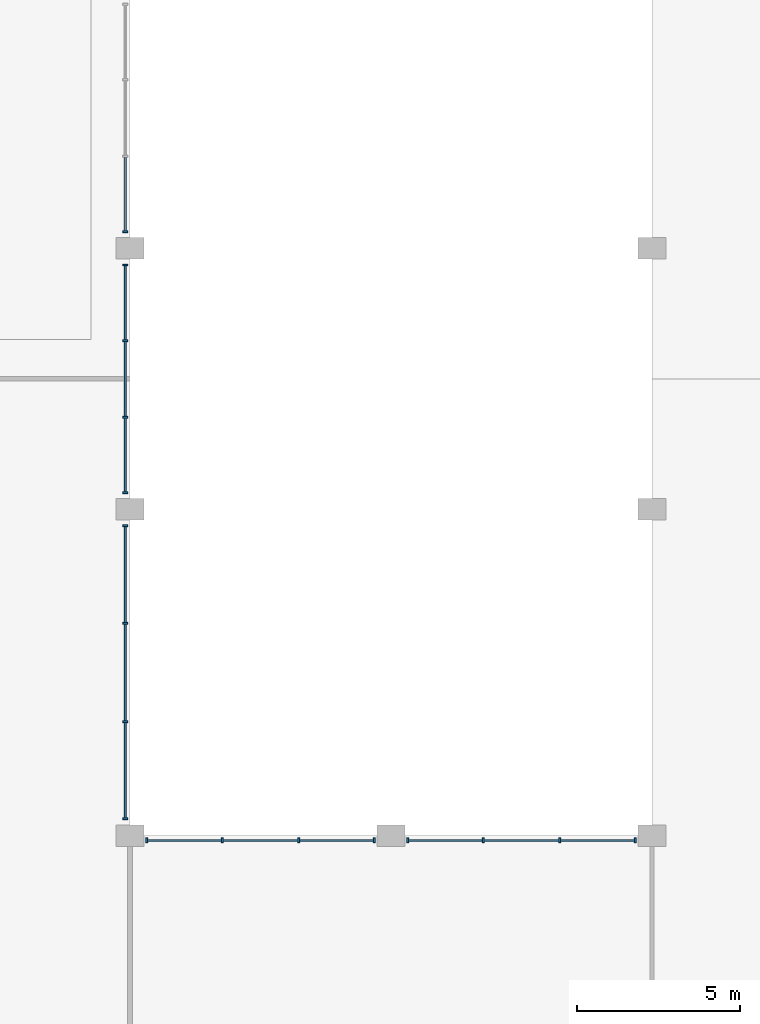
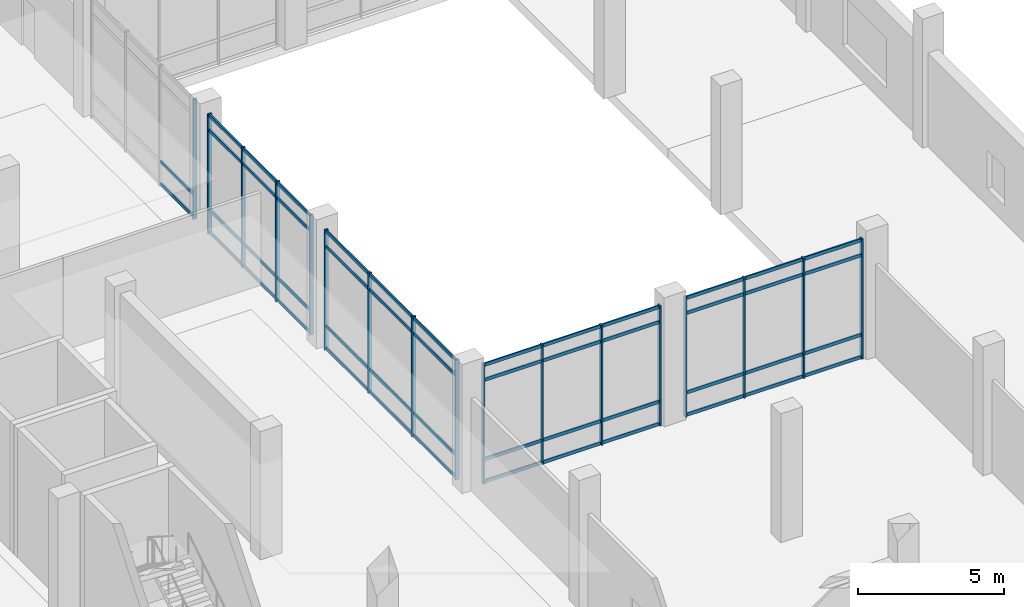
# One storey, part 13 of 42: 67 members, 5 elements without a shape of their own.
"""IFC4 building model written with IfcOpenShell, lengths in metres."""

from ifc_helpers import new_model, si_unit, direction, frame, origin, origin_2d, place, context, subcontext, project, spatial, rectangle, extrude, material, material_profile, profile_set, type_object, element, aggregate, save


model = new_model("IFC4")

# Units and contexts
model_context = context("Model", 3, precision=1e-05, world=origin(), true_north=direction((0.0, 1.0)))
body_context = subcontext(model_context, "Body", "Model", "MODEL_VIEW")
ifc_project = project(units=[si_unit("LENGTHUNIT", "METRE"), si_unit("AREAUNIT", "SQUARE_METRE"), si_unit("VOLUMEUNIT", "CUBIC_METRE"), si_unit("PLANEANGLEUNIT", "RADIAN"), si_unit("MASSUNIT", "GRAM", prefix="KILO")], contexts=[model_context])

# Site, building, storey
site_placement = place(None, origin())
site = spatial("IfcSite", under=ifc_project, at=site_placement, CompositionType="ELEMENT")
building_placement = place(site_placement, origin())
building = spatial("IfcBuilding", under=site, at=building_placement, Name="Pecanmere Concourse Central Library", CompositionType="ELEMENT")
storey_placement = place(building_placement, origin())
storey = spatial("IfcBuildingStorey", under=building, at=storey_placement, Name="L01", CompositionType="ELEMENT", Elevation=0.0)

# Curtain wall, members
ifc_material_1 = material(Name="Clear anodized aluminium alloy 6063-T6", Category="aluminium")
curtain_wall_type = type_object("IfcCurtainWallType", Name="CW_CLOISTER_GLAZ", PredefinedType="USERDEFINED", material=ifc_material_1)
curtain_wall_1_placement = place(storey_placement, origin())
curtain_wall_1 = element("IfcCurtainWall", 1, at=curtain_wall_1_placement, inside=storey, type_object=curtain_wall_type, Name="Unitised Curtain Wall CW-04 L01-101", ObjectType="UNITISED CURTAIN WALL", PredefinedType="USERDEFINED")
ifc_material_2 = material(Name="Clear anodized aluminium alloy 6063-T6", Category="aluminium")
ifc_material_profile_1 = material_profile(ifc_material_2, rectangle(XDim=0.06005859375, YDim=0.14990234375, at=origin_2d()), Name="AL 60x150")
ifc_profile_set_1 = profile_set([ifc_material_profile_1], Name="Clear anodized aluminium alloy 6063-T6")
member_type_1 = type_object("IfcMemberType", Name="CWM_150x60", PredefinedType="MULLION", material=ifc_profile_set_1)
member_1_placement = place(storey_placement, frame((127.85009765625, 64.510009765625, 0.0), z_axis=(0.0, 0.0, 1.0), x_axis=(0.0, 1.0, 0.0)))
member_1 = element("IfcMember", 2, at=member_1_placement, type_object=member_type_1, Name="CW-04 Mullion 1", PredefinedType="MULLION", context=body_context, shape_type="SweptSolid", body=[
    extrude(rectangle(XDim=0.06005859375, YDim=0.14990234375, at=origin_2d()), origin(), (0.0, 0.0, 1.0), 5.030029296875),
])
member_2_placement = place(storey_placement, frame((127.85009765625, 67.493408203125, 0.0), z_axis=(0.0, 0.0, 1.0), x_axis=(0.0, 1.0, 0.0)))
member_2 = element("IfcMember", 3, at=member_2_placement, type_object=member_type_1, Name="CW-04 Mullion 2", PredefinedType="MULLION", context=body_context, shape_type="SweptSolid", body=[
    extrude(rectangle(XDim=0.06005859375, YDim=0.14990234375, at=origin_2d()), origin(), (0.0, 0.0, 1.0), 5.030029296875),
])
member_3_placement = place(storey_placement, frame((127.85009765625, 70.506591796875, 0.0), z_axis=(0.0, 0.0, 1.0), x_axis=(0.0, 1.0, 0.0)))
member_3 = element("IfcMember", 4, at=member_3_placement, type_object=member_type_1, Name="CW-04 Mullion 3", PredefinedType="MULLION", context=body_context, shape_type="SweptSolid", body=[
    extrude(rectangle(XDim=0.06005859375, YDim=0.14990234375, at=origin_2d()), origin(), (0.0, 0.0, 1.0), 5.030029296875),
])
member_4_placement = place(storey_placement, frame((127.85009765625, 73.489990234375, 0.0), z_axis=(0.0, 0.0, 1.0), x_axis=(0.0, 1.0, 0.0)))
member_4 = element("IfcMember", 5, at=member_4_placement, type_object=member_type_1, Name="CW-04 Mullion 4", PredefinedType="MULLION", context=body_context, shape_type="SweptSolid", body=[
    extrude(rectangle(XDim=0.06005859375, YDim=0.14990234375, at=origin_2d()), origin(), (0.0, 0.0, 1.0), 5.030029296875),
])

curtain_wall_2_placement = place(storey_placement, origin())
curtain_wall_2 = element("IfcCurtainWall", 6, at=curtain_wall_2_placement, inside=storey, type_object=curtain_wall_type, Name="Unitised Curtain Wall CW-04 L01-103", ObjectType="UNITISED CURTAIN WALL", PredefinedType="USERDEFINED")
member_5_placement = place(storey_placement, frame((127.85009765625, 74.510009765625, 0.0), z_axis=(0.0, 0.0, 1.0), x_axis=(0.0, 1.0, 0.0)))
member_5 = element("IfcMember", 7, at=member_5_placement, type_object=member_type_1, Name="CW-04 Mullion 1", PredefinedType="MULLION", context=body_context, shape_type="SweptSolid", body=[
    extrude(rectangle(XDim=0.06005859375, YDim=0.14990234375, at=origin_2d()), origin(), (0.0, 0.0, 1.0), 5.030029296875),
])
member_6_placement = place(storey_placement, frame((127.85009765625, 76.82666015625, 0.0), z_axis=(0.0, 0.0, 1.0), x_axis=(0.0, 1.0, 0.0)))
member_6 = element("IfcMember", 8, at=member_6_placement, type_object=member_type_1, Name="CW-04 Mullion 2", PredefinedType="MULLION", context=body_context, shape_type="SweptSolid", body=[
    extrude(rectangle(XDim=0.06005859375, YDim=0.14990234375, at=origin_2d()), origin(), (0.0, 0.0, 1.0), 5.030029296875),
])
member_7_placement = place(storey_placement, frame((127.85009765625, 79.17333984375, 0.0), z_axis=(0.0, 0.0, 1.0), x_axis=(0.0, 1.0, 0.0)))
member_7 = element("IfcMember", 9, at=member_7_placement, type_object=member_type_1, Name="CW-04 Mullion 3", PredefinedType="MULLION", context=body_context, shape_type="SweptSolid", body=[
    extrude(rectangle(XDim=0.06005859375, YDim=0.14990234375, at=origin_2d()), origin(), (0.0, 0.0, 1.0), 5.030029296875),
])
member_8_placement = place(storey_placement, frame((127.85009765625, 81.489990234375, 0.0), z_axis=(0.0, 0.0, 1.0), x_axis=(0.0, 1.0, 0.0)))
member_8 = element("IfcMember", 10, at=member_8_placement, type_object=member_type_1, Name="CW-04 Mullion 4", PredefinedType="MULLION", context=body_context, shape_type="SweptSolid", body=[
    extrude(rectangle(XDim=0.06005859375, YDim=0.14990234375, at=origin_2d()), origin(), (0.0, 0.0, 1.0), 5.030029296875),
])

# Curtain wall, member
curtain_wall_3_placement = place(storey_placement, origin())
curtain_wall_3 = element("IfcCurtainWall", 11, at=curtain_wall_3_placement, inside=storey, type_object=curtain_wall_type, Name="Unitised Curtain Wall CW-04 L01-105", ObjectType="UNITISED CURTAIN WALL", PredefinedType="USERDEFINED")
member_9_placement = place(storey_placement, frame((127.85009765625, 82.510009765625, 0.0), z_axis=(0.0, 0.0, 1.0), x_axis=(0.0, 1.0, 0.0)))
member_9 = element("IfcMember", 12, at=member_9_placement, type_object=member_type_1, Name="CW-04 Mullion 1", PredefinedType="MULLION", context=body_context, shape_type="SweptSolid", body=[
    extrude(rectangle(XDim=0.06005859375, YDim=0.14990234375, at=origin_2d()), origin(), (0.0, 0.0, 1.0), 5.030029296875),
])

# Curtain wall, members
curtain_wall_4_placement = place(storey_placement, origin())
curtain_wall_4 = element("IfcCurtainWall", 13, at=curtain_wall_4_placement, inside=storey, type_object=curtain_wall_type, Name="Unitised Curtain Wall CW-04 L01-107", ObjectType="UNITISED CURTAIN WALL", PredefinedType="USERDEFINED")
member_10_placement = place(storey_placement, frame((128.510009765625, 63.85009765625, 0.0), z_axis=(0.0, 0.0, 1.0), x_axis=(1.0, 0.0, 0.0)))
member_10 = element("IfcMember", 14, at=member_10_placement, type_object=member_type_1, Name="CW-04 Mullion 1", PredefinedType="MULLION", context=body_context, shape_type="SweptSolid", body=[
    extrude(rectangle(XDim=0.06005859375, YDim=0.14990234375, at=origin_2d()), origin(), (0.0, 0.0, 1.0), 5.030029296875),
])
member_11_placement = place(storey_placement, frame((130.82666015625, 63.85009765625, 0.0), z_axis=(0.0, 0.0, 1.0), x_axis=(1.0, 0.0, 0.0)))
member_11 = element("IfcMember", 15, at=member_11_placement, type_object=member_type_1, Name="CW-04 Mullion 2", PredefinedType="MULLION", context=body_context, shape_type="SweptSolid", body=[
    extrude(rectangle(XDim=0.06005859375, YDim=0.14990234375, at=origin_2d()), origin(), (0.0, 0.0, 1.0), 5.030029296875),
])
member_12_placement = place(storey_placement, frame((133.17333984375, 63.85009765625, 0.0), z_axis=(0.0, 0.0, 1.0), x_axis=(1.0, 0.0, 0.0)))
member_12 = element("IfcMember", 16, at=member_12_placement, type_object=member_type_1, Name="CW-04 Mullion 3", PredefinedType="MULLION", context=body_context, shape_type="SweptSolid", body=[
    extrude(rectangle(XDim=0.06005859375, YDim=0.14990234375, at=origin_2d()), origin(), (0.0, 0.0, 1.0), 5.030029296875),
])
member_13_placement = place(storey_placement, frame((135.489990234375, 63.85009765625, 0.0), z_axis=(0.0, 0.0, 1.0), x_axis=(1.0, 0.0, 0.0)))
member_13 = element("IfcMember", 17, at=member_13_placement, type_object=member_type_1, Name="CW-04 Mullion 4", PredefinedType="MULLION", context=body_context, shape_type="SweptSolid", body=[
    extrude(rectangle(XDim=0.06005859375, YDim=0.14990234375, at=origin_2d()), origin(), (0.0, 0.0, 1.0), 5.030029296875),
])

curtain_wall_5_placement = place(storey_placement, origin())
curtain_wall_5 = element("IfcCurtainWall", 18, at=curtain_wall_5_placement, inside=storey, type_object=curtain_wall_type, Name="Unitised Curtain Wall CW-04 L01-109", ObjectType="UNITISED CURTAIN WALL", PredefinedType="USERDEFINED")
member_14_placement = place(storey_placement, frame((136.510009765625, 63.85009765625, 0.0), z_axis=(0.0, 0.0, 1.0), x_axis=(1.0, 0.0, 0.0)))
member_14 = element("IfcMember", 19, at=member_14_placement, type_object=member_type_1, Name="CW-04 Mullion 1", PredefinedType="MULLION", context=body_context, shape_type="SweptSolid", body=[
    extrude(rectangle(XDim=0.06005859375, YDim=0.14990234375, at=origin_2d()), origin(), (0.0, 0.0, 1.0), 5.030029296875),
])
member_15_placement = place(storey_placement, frame((138.82666015625, 63.85009765625, 0.0), z_axis=(0.0, 0.0, 1.0), x_axis=(1.0, 0.0, 0.0)))
member_15 = element("IfcMember", 20, at=member_15_placement, type_object=member_type_1, Name="CW-04 Mullion 2", PredefinedType="MULLION", context=body_context, shape_type="SweptSolid", body=[
    extrude(rectangle(XDim=0.06005859375, YDim=0.14990234375, at=origin_2d()), origin(), (0.0, 0.0, 1.0), 5.030029296875),
])
member_16_placement = place(storey_placement, frame((141.17333984375, 63.85009765625, 0.0), z_axis=(0.0, 0.0, 1.0), x_axis=(1.0, 0.0, 0.0)))
member_16 = element("IfcMember", 21, at=member_16_placement, type_object=member_type_1, Name="CW-04 Mullion 3", PredefinedType="MULLION", context=body_context, shape_type="SweptSolid", body=[
    extrude(rectangle(XDim=0.06005859375, YDim=0.14990234375, at=origin_2d()), origin(), (0.0, 0.0, 1.0), 5.030029296875),
])
member_17_placement = place(storey_placement, frame((143.489990234375, 63.85009765625, 0.0), z_axis=(0.0, 0.0, 1.0), x_axis=(1.0, 0.0, 0.0)))
member_17 = element("IfcMember", 22, at=member_17_placement, type_object=member_type_1, Name="CW-04 Mullion 4", PredefinedType="MULLION", context=body_context, shape_type="SweptSolid", body=[
    extrude(rectangle(XDim=0.06005859375, YDim=0.14990234375, at=origin_2d()), origin(), (0.0, 0.0, 1.0), 5.030029296875),
])

# Member
ifc_material_3 = material(Name="Clear anodized aluminium alloy 6063-T6", Category="aluminium")
ifc_material_profile_2 = material_profile(ifc_material_3, rectangle(XDim=0.054931640625, YDim=0.139892578125, at=origin_2d()), Name="AL 55x140")
ifc_profile_set_2 = profile_set([ifc_material_profile_2], Name="Clear anodized aluminium alloy 6063-T6")
member_type_2 = type_object("IfcMemberType", Name="CWT_140x55", PredefinedType="USERDEFINED", material=ifc_profile_set_2)
member_18_placement = place(storey_placement, frame((127.85009765625, 64.5400390625, 0.070068359375), z_axis=(0.0, 1.0, 0.0), x_axis=(-1.0, 0.0, 0.0)))
member_18 = element("IfcMember", 23, at=member_18_placement, type_object=member_type_2, Name="CW-04 Transom 1.1", ObjectType="TRANSOM", PredefinedType="USERDEFINED", context=body_context, shape_type="SweptSolid", body=[
    extrude(rectangle(XDim=0.054931640625, YDim=0.139892578125, at=origin_2d()), origin(), (0.0, 0.0, 1.0), 2.92333984375),
])

member_19_placement = place(storey_placement, frame((127.85009765625, 64.5400390625, 1.0), z_axis=(0.0, 1.0, 0.0), x_axis=(-1.0, 0.0, 0.0)))
member_19 = element("IfcMember", 24, at=member_19_placement, type_object=member_type_2, Name="CW-04 Transom 1.2", ObjectType="TRANSOM", PredefinedType="USERDEFINED", context=body_context, shape_type="SweptSolid", body=[
    extrude(rectangle(XDim=0.054931640625, YDim=0.139892578125, at=origin_2d()), origin(), (0.0, 0.0, 1.0), 2.92333984375),
])

member_20_placement = place(storey_placement, frame((127.85009765625, 64.5400390625, 4.330078125), z_axis=(0.0, 1.0, 0.0), x_axis=(-1.0, 0.0, 0.0)))
member_20 = element("IfcMember", 25, at=member_20_placement, type_object=member_type_2, Name="CW-04 Transom 1.3", ObjectType="TRANSOM", PredefinedType="USERDEFINED", context=body_context, shape_type="SweptSolid", body=[
    extrude(rectangle(XDim=0.054931640625, YDim=0.139892578125, at=origin_2d()), origin(), (0.0, 0.0, 1.0), 2.92333984375),
])

member_21_placement = place(storey_placement, frame((127.85009765625, 64.5400390625, 4.9599609375), z_axis=(0.0, 1.0, 0.0), x_axis=(-1.0, 0.0, 0.0)))
member_21 = element("IfcMember", 26, at=member_21_placement, type_object=member_type_2, Name="CW-04 Transom 1.4", ObjectType="TRANSOM", PredefinedType="USERDEFINED", context=body_context, shape_type="SweptSolid", body=[
    extrude(rectangle(XDim=0.054931640625, YDim=0.139892578125, at=origin_2d()), origin(), (0.0, 0.0, 1.0), 2.92333984375),
])

member_22_placement = place(storey_placement, frame((127.85009765625, 67.5234375, 0.070068359375), z_axis=(0.0, 1.0, 0.0), x_axis=(-1.0, 0.0, 0.0)))
member_22 = element("IfcMember", 27, at=member_22_placement, type_object=member_type_2, Name="CW-04 Transom 2.1", ObjectType="TRANSOM", PredefinedType="USERDEFINED", context=body_context, shape_type="SweptSolid", body=[
    extrude(rectangle(XDim=0.054931640625, YDim=0.139892578125, at=origin_2d()), origin(), (0.0, 0.0, 1.0), 2.953125),
])

member_23_placement = place(storey_placement, frame((127.85009765625, 67.5234375, 1.0), z_axis=(0.0, 1.0, 0.0), x_axis=(-1.0, 0.0, 0.0)))
member_23 = element("IfcMember", 28, at=member_23_placement, type_object=member_type_2, Name="CW-04 Transom 2.2", ObjectType="TRANSOM", PredefinedType="USERDEFINED", context=body_context, shape_type="SweptSolid", body=[
    extrude(rectangle(XDim=0.054931640625, YDim=0.139892578125, at=origin_2d()), origin(), (0.0, 0.0, 1.0), 2.953125),
])

member_24_placement = place(storey_placement, frame((127.85009765625, 67.5234375, 4.330078125), z_axis=(0.0, 1.0, 0.0), x_axis=(-1.0, 0.0, 0.0)))
member_24 = element("IfcMember", 29, at=member_24_placement, type_object=member_type_2, Name="CW-04 Transom 2.3", ObjectType="TRANSOM", PredefinedType="USERDEFINED", context=body_context, shape_type="SweptSolid", body=[
    extrude(rectangle(XDim=0.054931640625, YDim=0.139892578125, at=origin_2d()), origin(), (0.0, 0.0, 1.0), 2.953125),
])

member_25_placement = place(storey_placement, frame((127.85009765625, 67.5234375, 4.9599609375), z_axis=(0.0, 1.0, 0.0), x_axis=(-1.0, 0.0, 0.0)))
member_25 = element("IfcMember", 30, at=member_25_placement, type_object=member_type_2, Name="CW-04 Transom 2.4", ObjectType="TRANSOM", PredefinedType="USERDEFINED", context=body_context, shape_type="SweptSolid", body=[
    extrude(rectangle(XDim=0.054931640625, YDim=0.139892578125, at=origin_2d()), origin(), (0.0, 0.0, 1.0), 2.953125),
])

member_26_placement = place(storey_placement, frame((127.85009765625, 70.53662109375, 0.070068359375), z_axis=(0.0, 1.0, 0.0), x_axis=(-1.0, 0.0, 0.0)))
member_26 = element("IfcMember", 31, at=member_26_placement, type_object=member_type_2, Name="CW-04 Transom 3.1", ObjectType="TRANSOM", PredefinedType="USERDEFINED", context=body_context, shape_type="SweptSolid", body=[
    extrude(rectangle(XDim=0.054931640625, YDim=0.139892578125, at=origin_2d()), origin(), (0.0, 0.0, 1.0), 2.92333984375),
])

member_27_placement = place(storey_placement, frame((127.85009765625, 70.53662109375, 1.0), z_axis=(0.0, 1.0, 0.0), x_axis=(-1.0, 0.0, 0.0)))
member_27 = element("IfcMember", 32, at=member_27_placement, type_object=member_type_2, Name="CW-04 Transom 3.2", ObjectType="TRANSOM", PredefinedType="USERDEFINED", context=body_context, shape_type="SweptSolid", body=[
    extrude(rectangle(XDim=0.054931640625, YDim=0.139892578125, at=origin_2d()), origin(), (0.0, 0.0, 1.0), 2.92333984375),
])

member_28_placement = place(storey_placement, frame((127.85009765625, 70.53662109375, 4.330078125), z_axis=(0.0, 1.0, 0.0), x_axis=(-1.0, 0.0, 0.0)))
member_28 = element("IfcMember", 33, at=member_28_placement, type_object=member_type_2, Name="CW-04 Transom 3.3", ObjectType="TRANSOM", PredefinedType="USERDEFINED", context=body_context, shape_type="SweptSolid", body=[
    extrude(rectangle(XDim=0.054931640625, YDim=0.139892578125, at=origin_2d()), origin(), (0.0, 0.0, 1.0), 2.92333984375),
])

member_29_placement = place(storey_placement, frame((127.85009765625, 70.53662109375, 4.9599609375), z_axis=(0.0, 1.0, 0.0), x_axis=(-1.0, 0.0, 0.0)))
member_29 = element("IfcMember", 34, at=member_29_placement, type_object=member_type_2, Name="CW-04 Transom 3.4", ObjectType="TRANSOM", PredefinedType="USERDEFINED", context=body_context, shape_type="SweptSolid", body=[
    extrude(rectangle(XDim=0.054931640625, YDim=0.139892578125, at=origin_2d()), origin(), (0.0, 0.0, 1.0), 2.92333984375),
])

aggregate(curtain_wall_1, [member_1, member_2, member_3, member_4, member_18, member_19, member_20, member_21, member_22, member_23, member_24, member_25, member_26, member_27, member_28, member_29])

member_30_placement = place(storey_placement, frame((127.85009765625, 74.5400390625, 0.070068359375), z_axis=(0.0, 1.0, 0.0), x_axis=(-1.0, 0.0, 0.0)))
member_30 = element("IfcMember", 35, at=member_30_placement, type_object=member_type_2, Name="CW-04 Transom 1.1", ObjectType="TRANSOM", PredefinedType="USERDEFINED", context=body_context, shape_type="SweptSolid", body=[
    extrude(rectangle(XDim=0.054931640625, YDim=0.139892578125, at=origin_2d()), origin(), (0.0, 0.0, 1.0), 2.256591796875),
])

member_31_placement = place(storey_placement, frame((127.85009765625, 74.5400390625, 1.0), z_axis=(0.0, 1.0, 0.0), x_axis=(-1.0, 0.0, 0.0)))
member_31 = element("IfcMember", 36, at=member_31_placement, type_object=member_type_2, Name="CW-04 Transom 1.2", ObjectType="TRANSOM", PredefinedType="USERDEFINED", context=body_context, shape_type="SweptSolid", body=[
    extrude(rectangle(XDim=0.054931640625, YDim=0.139892578125, at=origin_2d()), origin(), (0.0, 0.0, 1.0), 2.256591796875),
])

member_32_placement = place(storey_placement, frame((127.85009765625, 74.5400390625, 4.330078125), z_axis=(0.0, 1.0, 0.0), x_axis=(-1.0, 0.0, 0.0)))
member_32 = element("IfcMember", 37, at=member_32_placement, type_object=member_type_2, Name="CW-04 Transom 1.3", ObjectType="TRANSOM", PredefinedType="USERDEFINED", context=body_context, shape_type="SweptSolid", body=[
    extrude(rectangle(XDim=0.054931640625, YDim=0.139892578125, at=origin_2d()), origin(), (0.0, 0.0, 1.0), 2.256591796875),
])

member_33_placement = place(storey_placement, frame((127.85009765625, 74.5400390625, 4.9599609375), z_axis=(0.0, 1.0, 0.0), x_axis=(-1.0, 0.0, 0.0)))
member_33 = element("IfcMember", 38, at=member_33_placement, type_object=member_type_2, Name="CW-04 Transom 1.4", ObjectType="TRANSOM", PredefinedType="USERDEFINED", context=body_context, shape_type="SweptSolid", body=[
    extrude(rectangle(XDim=0.054931640625, YDim=0.139892578125, at=origin_2d()), origin(), (0.0, 0.0, 1.0), 2.256591796875),
])

member_34_placement = place(storey_placement, frame((127.85009765625, 76.856689453125, 0.070068359375), z_axis=(0.0, 1.0, 0.0), x_axis=(-1.0, 0.0, 0.0)))
member_34 = element("IfcMember", 39, at=member_34_placement, type_object=member_type_2, Name="CW-04 Transom 2.1", ObjectType="TRANSOM", PredefinedType="USERDEFINED", context=body_context, shape_type="SweptSolid", body=[
    extrude(rectangle(XDim=0.054931640625, YDim=0.139892578125, at=origin_2d()), origin(), (0.0, 0.0, 1.0), 2.28662109375),
])

member_35_placement = place(storey_placement, frame((127.85009765625, 76.856689453125, 1.0), z_axis=(0.0, 1.0, 0.0), x_axis=(-1.0, 0.0, 0.0)))
member_35 = element("IfcMember", 40, at=member_35_placement, type_object=member_type_2, Name="CW-04 Transom 2.2", ObjectType="TRANSOM", PredefinedType="USERDEFINED", context=body_context, shape_type="SweptSolid", body=[
    extrude(rectangle(XDim=0.054931640625, YDim=0.139892578125, at=origin_2d()), origin(), (0.0, 0.0, 1.0), 2.28662109375),
])

member_36_placement = place(storey_placement, frame((127.85009765625, 76.856689453125, 4.330078125), z_axis=(0.0, 1.0, 0.0), x_axis=(-1.0, 0.0, 0.0)))
member_36 = element("IfcMember", 41, at=member_36_placement, type_object=member_type_2, Name="CW-04 Transom 2.3", ObjectType="TRANSOM", PredefinedType="USERDEFINED", context=body_context, shape_type="SweptSolid", body=[
    extrude(rectangle(XDim=0.054931640625, YDim=0.139892578125, at=origin_2d()), origin(), (0.0, 0.0, 1.0), 2.28662109375),
])

member_37_placement = place(storey_placement, frame((127.85009765625, 76.856689453125, 4.9599609375), z_axis=(0.0, 1.0, 0.0), x_axis=(-1.0, 0.0, 0.0)))
member_37 = element("IfcMember", 42, at=member_37_placement, type_object=member_type_2, Name="CW-04 Transom 2.4", ObjectType="TRANSOM", PredefinedType="USERDEFINED", context=body_context, shape_type="SweptSolid", body=[
    extrude(rectangle(XDim=0.054931640625, YDim=0.139892578125, at=origin_2d()), origin(), (0.0, 0.0, 1.0), 2.28662109375),
])

member_38_placement = place(storey_placement, frame((127.85009765625, 79.203369140625, 0.070068359375), z_axis=(0.0, 1.0, 0.0), x_axis=(-1.0, 0.0, 0.0)))
member_38 = element("IfcMember", 43, at=member_38_placement, type_object=member_type_2, Name="CW-04 Transom 3.1", ObjectType="TRANSOM", PredefinedType="USERDEFINED", context=body_context, shape_type="SweptSolid", body=[
    extrude(rectangle(XDim=0.054931640625, YDim=0.139892578125, at=origin_2d()), origin(), (0.0, 0.0, 1.0), 2.256591796875),
])

member_39_placement = place(storey_placement, frame((127.85009765625, 79.203369140625, 1.0), z_axis=(0.0, 1.0, 0.0), x_axis=(-1.0, 0.0, 0.0)))
member_39 = element("IfcMember", 44, at=member_39_placement, type_object=member_type_2, Name="CW-04 Transom 3.2", ObjectType="TRANSOM", PredefinedType="USERDEFINED", context=body_context, shape_type="SweptSolid", body=[
    extrude(rectangle(XDim=0.054931640625, YDim=0.139892578125, at=origin_2d()), origin(), (0.0, 0.0, 1.0), 2.256591796875),
])

member_40_placement = place(storey_placement, frame((127.85009765625, 79.203369140625, 4.330078125), z_axis=(0.0, 1.0, 0.0), x_axis=(-1.0, 0.0, 0.0)))
member_40 = element("IfcMember", 45, at=member_40_placement, type_object=member_type_2, Name="CW-04 Transom 3.3", ObjectType="TRANSOM", PredefinedType="USERDEFINED", context=body_context, shape_type="SweptSolid", body=[
    extrude(rectangle(XDim=0.054931640625, YDim=0.139892578125, at=origin_2d()), origin(), (0.0, 0.0, 1.0), 2.256591796875),
])

member_41_placement = place(storey_placement, frame((127.85009765625, 79.203369140625, 4.9599609375), z_axis=(0.0, 1.0, 0.0), x_axis=(-1.0, 0.0, 0.0)))
member_41 = element("IfcMember", 46, at=member_41_placement, type_object=member_type_2, Name="CW-04 Transom 3.4", ObjectType="TRANSOM", PredefinedType="USERDEFINED", context=body_context, shape_type="SweptSolid", body=[
    extrude(rectangle(XDim=0.054931640625, YDim=0.139892578125, at=origin_2d()), origin(), (0.0, 0.0, 1.0), 2.256591796875),
])

aggregate(curtain_wall_2, [member_5, member_6, member_7, member_8, member_30, member_31, member_32, member_33, member_34, member_35, member_36, member_37, member_38, member_39, member_40, member_41])

member_42_placement = place(storey_placement, frame((127.85009765625, 82.5400390625, 0.070068359375), z_axis=(0.0, 1.0, 0.0), x_axis=(-1.0, 0.0, 0.0)))
member_42 = element("IfcMember", 47, at=member_42_placement, type_object=member_type_2, Name="CW-04 Transom 1.1", ObjectType="TRANSOM", PredefinedType="USERDEFINED", context=body_context, shape_type="SweptSolid", body=[
    extrude(rectangle(XDim=0.054931640625, YDim=0.139892578125, at=origin_2d()), origin(), (0.0, 0.0, 1.0), 2.256591796875),
])

member_43_placement = place(storey_placement, frame((127.85009765625, 82.5400390625, 1.0), z_axis=(0.0, 1.0, 0.0), x_axis=(-1.0, 0.0, 0.0)))
member_43 = element("IfcMember", 48, at=member_43_placement, type_object=member_type_2, Name="CW-04 Transom 1.2", ObjectType="TRANSOM", PredefinedType="USERDEFINED", context=body_context, shape_type="SweptSolid", body=[
    extrude(rectangle(XDim=0.054931640625, YDim=0.139892578125, at=origin_2d()), origin(), (0.0, 0.0, 1.0), 2.256591796875),
])

aggregate(curtain_wall_3, [member_9, member_42, member_43])

member_44_placement = place(storey_placement, frame((128.5400390625, 63.85009765625, 0.070068359375), z_axis=(1.0, 0.0, 0.0), x_axis=(0.0, 1.0, 0.0)))
member_44 = element("IfcMember", 49, at=member_44_placement, type_object=member_type_2, Name="CW-04 Transom 1.1", ObjectType="TRANSOM", PredefinedType="USERDEFINED", context=body_context, shape_type="SweptSolid", body=[
    extrude(rectangle(XDim=0.054931640625, YDim=0.139892578125, at=origin_2d()), origin(), (0.0, 0.0, 1.0), 2.256591796875),
])

member_45_placement = place(storey_placement, frame((128.5400390625, 63.85009765625, 1.0), z_axis=(1.0, 0.0, 0.0), x_axis=(0.0, 1.0, 0.0)))
member_45 = element("IfcMember", 50, at=member_45_placement, type_object=member_type_2, Name="CW-04 Transom 1.2", ObjectType="TRANSOM", PredefinedType="USERDEFINED", context=body_context, shape_type="SweptSolid", body=[
    extrude(rectangle(XDim=0.054931640625, YDim=0.139892578125, at=origin_2d()), origin(), (0.0, 0.0, 1.0), 2.256591796875),
])

member_46_placement = place(storey_placement, frame((128.5400390625, 63.85009765625, 4.330078125), z_axis=(1.0, 0.0, 0.0), x_axis=(0.0, 1.0, 0.0)))
member_46 = element("IfcMember", 51, at=member_46_placement, type_object=member_type_2, Name="CW-04 Transom 1.3", ObjectType="TRANSOM", PredefinedType="USERDEFINED", context=body_context, shape_type="SweptSolid", body=[
    extrude(rectangle(XDim=0.054931640625, YDim=0.139892578125, at=origin_2d()), origin(), (0.0, 0.0, 1.0), 2.256591796875),
])

member_47_placement = place(storey_placement, frame((128.5400390625, 63.85009765625, 4.9599609375), z_axis=(1.0, 0.0, 0.0), x_axis=(0.0, 1.0, 0.0)))
member_47 = element("IfcMember", 52, at=member_47_placement, type_object=member_type_2, Name="CW-04 Transom 1.4", ObjectType="TRANSOM", PredefinedType="USERDEFINED", context=body_context, shape_type="SweptSolid", body=[
    extrude(rectangle(XDim=0.054931640625, YDim=0.139892578125, at=origin_2d()), origin(), (0.0, 0.0, 1.0), 2.256591796875),
])

member_48_placement = place(storey_placement, frame((130.856689453125, 63.85009765625, 0.070068359375), z_axis=(1.0, 0.0, 0.0), x_axis=(0.0, 1.0, 0.0)))
member_48 = element("IfcMember", 53, at=member_48_placement, type_object=member_type_2, Name="CW-04 Transom 2.1", ObjectType="TRANSOM", PredefinedType="USERDEFINED", context=body_context, shape_type="SweptSolid", body=[
    extrude(rectangle(XDim=0.054931640625, YDim=0.139892578125, at=origin_2d()), origin(), (0.0, 0.0, 1.0), 2.28662109375),
])

member_49_placement = place(storey_placement, frame((130.856689453125, 63.85009765625, 1.0), z_axis=(1.0, 0.0, 0.0), x_axis=(0.0, 1.0, 0.0)))
member_49 = element("IfcMember", 54, at=member_49_placement, type_object=member_type_2, Name="CW-04 Transom 2.2", ObjectType="TRANSOM", PredefinedType="USERDEFINED", context=body_context, shape_type="SweptSolid", body=[
    extrude(rectangle(XDim=0.054931640625, YDim=0.139892578125, at=origin_2d()), origin(), (0.0, 0.0, 1.0), 2.28662109375),
])

member_50_placement = place(storey_placement, frame((130.856689453125, 63.85009765625, 4.330078125), z_axis=(1.0, 0.0, 0.0), x_axis=(0.0, 1.0, 0.0)))
member_50 = element("IfcMember", 55, at=member_50_placement, type_object=member_type_2, Name="CW-04 Transom 2.3", ObjectType="TRANSOM", PredefinedType="USERDEFINED", context=body_context, shape_type="SweptSolid", body=[
    extrude(rectangle(XDim=0.054931640625, YDim=0.139892578125, at=origin_2d()), origin(), (0.0, 0.0, 1.0), 2.28662109375),
])

member_51_placement = place(storey_placement, frame((130.856689453125, 63.85009765625, 4.9599609375), z_axis=(1.0, 0.0, 0.0), x_axis=(0.0, 1.0, 0.0)))
member_51 = element("IfcMember", 56, at=member_51_placement, type_object=member_type_2, Name="CW-04 Transom 2.4", ObjectType="TRANSOM", PredefinedType="USERDEFINED", context=body_context, shape_type="SweptSolid", body=[
    extrude(rectangle(XDim=0.054931640625, YDim=0.139892578125, at=origin_2d()), origin(), (0.0, 0.0, 1.0), 2.28662109375),
])

member_52_placement = place(storey_placement, frame((133.203369140625, 63.85009765625, 0.070068359375), z_axis=(1.0, 0.0, 0.0), x_axis=(0.0, 1.0, 0.0)))
member_52 = element("IfcMember", 57, at=member_52_placement, type_object=member_type_2, Name="CW-04 Transom 3.1", ObjectType="TRANSOM", PredefinedType="USERDEFINED", context=body_context, shape_type="SweptSolid", body=[
    extrude(rectangle(XDim=0.054931640625, YDim=0.139892578125, at=origin_2d()), origin(), (0.0, 0.0, 1.0), 2.256591796875),
])

member_53_placement = place(storey_placement, frame((133.203369140625, 63.85009765625, 1.0), z_axis=(1.0, 0.0, 0.0), x_axis=(0.0, 1.0, 0.0)))
member_53 = element("IfcMember", 58, at=member_53_placement, type_object=member_type_2, Name="CW-04 Transom 3.2", ObjectType="TRANSOM", PredefinedType="USERDEFINED", context=body_context, shape_type="SweptSolid", body=[
    extrude(rectangle(XDim=0.054931640625, YDim=0.139892578125, at=origin_2d()), origin(), (0.0, 0.0, 1.0), 2.256591796875),
])

member_54_placement = place(storey_placement, frame((133.203369140625, 63.85009765625, 4.330078125), z_axis=(1.0, 0.0, 0.0), x_axis=(0.0, 1.0, 0.0)))
member_54 = element("IfcMember", 59, at=member_54_placement, type_object=member_type_2, Name="CW-04 Transom 3.3", ObjectType="TRANSOM", PredefinedType="USERDEFINED", context=body_context, shape_type="SweptSolid", body=[
    extrude(rectangle(XDim=0.054931640625, YDim=0.139892578125, at=origin_2d()), origin(), (0.0, 0.0, 1.0), 2.256591796875),
])

member_55_placement = place(storey_placement, frame((133.203369140625, 63.85009765625, 4.9599609375), z_axis=(1.0, 0.0, 0.0), x_axis=(0.0, 1.0, 0.0)))
member_55 = element("IfcMember", 60, at=member_55_placement, type_object=member_type_2, Name="CW-04 Transom 3.4", ObjectType="TRANSOM", PredefinedType="USERDEFINED", context=body_context, shape_type="SweptSolid", body=[
    extrude(rectangle(XDim=0.054931640625, YDim=0.139892578125, at=origin_2d()), origin(), (0.0, 0.0, 1.0), 2.256591796875),
])

aggregate(curtain_wall_4, [member_10, member_11, member_12, member_13, member_44, member_45, member_46, member_47, member_48, member_49, member_50, member_51, member_52, member_53, member_54, member_55])

member_56_placement = place(storey_placement, frame((136.5400390625, 63.85009765625, 0.070068359375), z_axis=(1.0, 0.0, 0.0), x_axis=(0.0, 1.0, 0.0)))
member_56 = element("IfcMember", 61, at=member_56_placement, type_object=member_type_2, Name="CW-04 Transom 1.1", ObjectType="TRANSOM", PredefinedType="USERDEFINED", context=body_context, shape_type="SweptSolid", body=[
    extrude(rectangle(XDim=0.054931640625, YDim=0.139892578125, at=origin_2d()), origin(), (0.0, 0.0, 1.0), 2.256591796875),
])

member_57_placement = place(storey_placement, frame((136.5400390625, 63.85009765625, 1.0), z_axis=(1.0, 0.0, 0.0), x_axis=(0.0, 1.0, 0.0)))
member_57 = element("IfcMember", 62, at=member_57_placement, type_object=member_type_2, Name="CW-04 Transom 1.2", ObjectType="TRANSOM", PredefinedType="USERDEFINED", context=body_context, shape_type="SweptSolid", body=[
    extrude(rectangle(XDim=0.054931640625, YDim=0.139892578125, at=origin_2d()), origin(), (0.0, 0.0, 1.0), 2.256591796875),
])

member_58_placement = place(storey_placement, frame((136.5400390625, 63.85009765625, 4.330078125), z_axis=(1.0, 0.0, 0.0), x_axis=(0.0, 1.0, 0.0)))
member_58 = element("IfcMember", 63, at=member_58_placement, type_object=member_type_2, Name="CW-04 Transom 1.3", ObjectType="TRANSOM", PredefinedType="USERDEFINED", context=body_context, shape_type="SweptSolid", body=[
    extrude(rectangle(XDim=0.054931640625, YDim=0.139892578125, at=origin_2d()), origin(), (0.0, 0.0, 1.0), 2.256591796875),
])

member_59_placement = place(storey_placement, frame((136.5400390625, 63.85009765625, 4.9599609375), z_axis=(1.0, 0.0, 0.0), x_axis=(0.0, 1.0, 0.0)))
member_59 = element("IfcMember", 64, at=member_59_placement, type_object=member_type_2, Name="CW-04 Transom 1.4", ObjectType="TRANSOM", PredefinedType="USERDEFINED", context=body_context, shape_type="SweptSolid", body=[
    extrude(rectangle(XDim=0.054931640625, YDim=0.139892578125, at=origin_2d()), origin(), (0.0, 0.0, 1.0), 2.256591796875),
])

member_60_placement = place(storey_placement, frame((138.856689453125, 63.85009765625, 0.070068359375), z_axis=(1.0, 0.0, 0.0), x_axis=(0.0, 1.0, 0.0)))
member_60 = element("IfcMember", 65, at=member_60_placement, type_object=member_type_2, Name="CW-04 Transom 2.1", ObjectType="TRANSOM", PredefinedType="USERDEFINED", context=body_context, shape_type="SweptSolid", body=[
    extrude(rectangle(XDim=0.054931640625, YDim=0.139892578125, at=origin_2d()), origin(), (0.0, 0.0, 1.0), 2.28662109375),
])

member_61_placement = place(storey_placement, frame((138.856689453125, 63.85009765625, 1.0), z_axis=(1.0, 0.0, 0.0), x_axis=(0.0, 1.0, 0.0)))
member_61 = element("IfcMember", 66, at=member_61_placement, type_object=member_type_2, Name="CW-04 Transom 2.2", ObjectType="TRANSOM", PredefinedType="USERDEFINED", context=body_context, shape_type="SweptSolid", body=[
    extrude(rectangle(XDim=0.054931640625, YDim=0.139892578125, at=origin_2d()), origin(), (0.0, 0.0, 1.0), 2.28662109375),
])

member_62_placement = place(storey_placement, frame((138.856689453125, 63.85009765625, 4.330078125), z_axis=(1.0, 0.0, 0.0), x_axis=(0.0, 1.0, 0.0)))
member_62 = element("IfcMember", 67, at=member_62_placement, type_object=member_type_2, Name="CW-04 Transom 2.3", ObjectType="TRANSOM", PredefinedType="USERDEFINED", context=body_context, shape_type="SweptSolid", body=[
    extrude(rectangle(XDim=0.054931640625, YDim=0.139892578125, at=origin_2d()), origin(), (0.0, 0.0, 1.0), 2.28662109375),
])

member_63_placement = place(storey_placement, frame((138.856689453125, 63.85009765625, 4.9599609375), z_axis=(1.0, 0.0, 0.0), x_axis=(0.0, 1.0, 0.0)))
member_63 = element("IfcMember", 68, at=member_63_placement, type_object=member_type_2, Name="CW-04 Transom 2.4", ObjectType="TRANSOM", PredefinedType="USERDEFINED", context=body_context, shape_type="SweptSolid", body=[
    extrude(rectangle(XDim=0.054931640625, YDim=0.139892578125, at=origin_2d()), origin(), (0.0, 0.0, 1.0), 2.28662109375),
])

member_64_placement = place(storey_placement, frame((141.203369140625, 63.85009765625, 0.070068359375), z_axis=(1.0, 0.0, 0.0), x_axis=(0.0, 1.0, 0.0)))
member_64 = element("IfcMember", 69, at=member_64_placement, type_object=member_type_2, Name="CW-04 Transom 3.1", ObjectType="TRANSOM", PredefinedType="USERDEFINED", context=body_context, shape_type="SweptSolid", body=[
    extrude(rectangle(XDim=0.054931640625, YDim=0.139892578125, at=origin_2d()), origin(), (0.0, 0.0, 1.0), 2.256591796875),
])

member_65_placement = place(storey_placement, frame((141.203369140625, 63.85009765625, 1.0), z_axis=(1.0, 0.0, 0.0), x_axis=(0.0, 1.0, 0.0)))
member_65 = element("IfcMember", 70, at=member_65_placement, type_object=member_type_2, Name="CW-04 Transom 3.2", ObjectType="TRANSOM", PredefinedType="USERDEFINED", context=body_context, shape_type="SweptSolid", body=[
    extrude(rectangle(XDim=0.054931640625, YDim=0.139892578125, at=origin_2d()), origin(), (0.0, 0.0, 1.0), 2.256591796875),
])

member_66_placement = place(storey_placement, frame((141.203369140625, 63.85009765625, 4.330078125), z_axis=(1.0, 0.0, 0.0), x_axis=(0.0, 1.0, 0.0)))
member_66 = element("IfcMember", 71, at=member_66_placement, type_object=member_type_2, Name="CW-04 Transom 3.3", ObjectType="TRANSOM", PredefinedType="USERDEFINED", context=body_context, shape_type="SweptSolid", body=[
    extrude(rectangle(XDim=0.054931640625, YDim=0.139892578125, at=origin_2d()), origin(), (0.0, 0.0, 1.0), 2.256591796875),
])

member_67_placement = place(storey_placement, frame((141.203369140625, 63.85009765625, 4.9599609375), z_axis=(1.0, 0.0, 0.0), x_axis=(0.0, 1.0, 0.0)))
member_67 = element("IfcMember", 72, at=member_67_placement, type_object=member_type_2, Name="CW-04 Transom 3.4", ObjectType="TRANSOM", PredefinedType="USERDEFINED", context=body_context, shape_type="SweptSolid", body=[
    extrude(rectangle(XDim=0.054931640625, YDim=0.139892578125, at=origin_2d()), origin(), (0.0, 0.0, 1.0), 2.256591796875),
])

aggregate(curtain_wall_5, [member_14, member_15, member_16, member_17, member_56, member_57, member_58, member_59, member_60, member_61, member_62, member_63, member_64, member_65, member_66, member_67])

save(model, "model.ifc")
